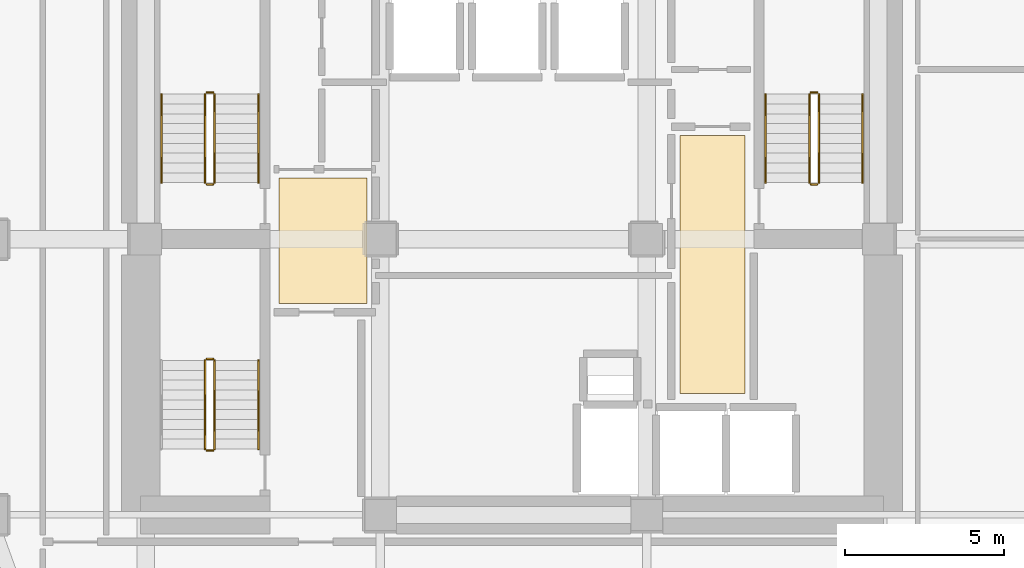
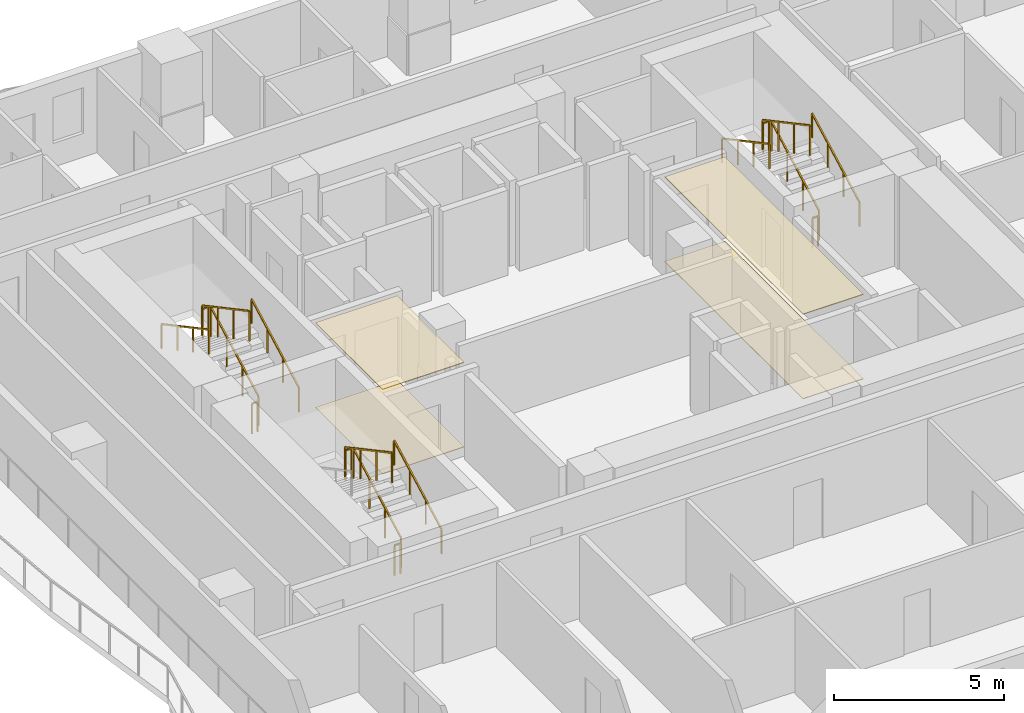
# One storey, part 9 of 10: 17 railings, 4 coverings.
"""IFC4 building model written with IfcOpenShell, lengths in metres."""

from ifc_helpers import new_model, si_unit, direction, frame, origin, origin_2d, place, context, subcontext, project, spatial, polyline, rectangle, outline, extrude, material, layer, layer_set, type_object, element, save


model = new_model("IFC4")

# Units and contexts
model_context = context("Model", 3, precision=1e-05, world=origin(), true_north=direction((0.0, 1.0)))
body_context = subcontext(model_context, "Body", "Model", "MODEL_VIEW")
ifc_project = project(units=[si_unit("LENGTHUNIT", "METRE"), si_unit("AREAUNIT", "SQUARE_METRE"), si_unit("VOLUMEUNIT", "CUBIC_METRE"), si_unit("PLANEANGLEUNIT", "RADIAN"), si_unit("MASSUNIT", "GRAM", prefix="KILO")], contexts=[model_context])

# Site, building, storey
site_placement = place(None, origin())
site = spatial("IfcSite", under=ifc_project, at=site_placement, CompositionType="ELEMENT")
building_placement = place(site_placement, origin())
building = spatial("IfcBuilding", under=site, at=building_placement, Name="Solanera Arch Residences", CompositionType="ELEMENT")
storey_placement = place(building_placement, frame((0.0, 0.0, 48.56005859375)))
storey = spatial("IfcBuildingStorey", under=building, at=storey_placement, Name="L13", CompositionType="ELEMENT", Elevation=48.56005859375)

# Coverings
ifc_material_1 = material(Name="Porcelain Acoustic Floor Tile", Category="ceramic")
ifc_layer_1 = layer(ifc_material_1, 0.02001953125)
ifc_layer_set_1 = layer_set([ifc_layer_1], Name="Porcelain Acoustic Floor Tile")
covering_type_1 = type_object("IfcCoveringType", Name="Porcelain Acoustic Floor Finish FLR-20", PredefinedType="FLOORING", material=ifc_layer_set_1)
covering_1_placement = place(storey_placement, origin())
element("IfcCovering", 1, at=covering_1_placement, inside=storey, type_object=covering_type_1, Name="L13-FFL-W Porcelain Floor Finish", PredefinedType="FLOORING", context=body_context, shape_type="SweptSolid", body=[
    extrude(outline(polyline([(20.375, 28.675048828125), (17.594970703125, 28.675048828125), (17.594970703125, 32.625), (20.375, 32.625), (20.375, 28.675048828125)])), origin(), (0.0, 0.0, 1.0), 0.02001953125),
])
covering_2_placement = place(storey_placement, origin())
element("IfcCovering", 2, at=covering_2_placement, inside=storey, type_object=covering_type_1, Name="L13-FFL-E Porcelain Floor Finish", PredefinedType="FLOORING", context=body_context, shape_type="SweptSolid", body=[
    extrude(outline(polyline([(32.304931640625, 25.824951171875), (30.25, 25.824951171875), (30.25, 33.97509765625), (32.304931640625, 33.97509765625), (32.304931640625, 25.824951171875)])), origin(), (0.0, 0.0, 1.0), 0.02001953125),
])

# Railings
ifc_material_2 = material(Name="Steel S355 (ASTM A992 / A572 Grade 50)", Category="steel")
railing_type_1 = type_object("IfcRailingType", Name="Stair Guardrail GR-1100", PredefinedType="GUARDRAIL", material=ifc_material_2)
railing_1_placement = place(storey_placement, frame((15.570068359375, 32.47998046875, 0.15087890625)))
element("IfcRailing", 3, at=railing_1_placement, inside=storey, type_object=railing_type_1, Name="L13 ST-T1 stair guard 1", PredefinedType="GUARDRAIL", context=body_context, shape_type="SweptSolid", body=[
    extrude(rectangle(XDim=0.048095703125, YDim=0.048095703125, at=origin_2d()), frame((0.0, 0.0, 1.076171875), z_axis=(0.0, 0.881548766853, 0.472092969298), x_axis=(-1.0, 0.0, 0.0)), (0.0, 0.0, 1.0), 3.1650390625),
    extrude(rectangle(XDim=0.0419921875, YDim=0.0419921875, at=origin_2d()), origin(), (0.0, 0.0, 1.0), 1.052001953125),
    extrude(rectangle(XDim=0.0419921875, YDim=0.0419921875, at=origin_2d()), frame((0.0, 0.929931640625, 0.498046875)), (0.0, 0.0, 1.0), 1.052001953125),
    extrude(rectangle(XDim=0.0419921875, YDim=0.0419921875, at=origin_2d()), frame((0.0, 1.860107421875, 0.99609375)), (0.0, 0.0, 1.0), 1.052001953125),
    extrude(rectangle(XDim=0.0419921875, YDim=0.0419921875, at=origin_2d()), frame((0.0, 2.7900390625, 1.494140625)), (0.0, 0.0, 1.0), 1.052001953125),
])
railing_2_placement = place(storey_placement, frame((15.52001953125, 35.320068359375, 1.64501953125)))
element("IfcRailing", 4, at=railing_2_placement, inside=storey, type_object=railing_type_1, Name="L13 ST-T1 stair guard 2", PredefinedType="GUARDRAIL", context=body_context, shape_type="SweptSolid", body=[
    extrude(rectangle(XDim=0.048095703125, YDim=0.048095703125, at=origin_2d()), frame((0.0, 0.0, 1.076171875), z_axis=(-1.0, 0.0, 0.0), x_axis=(0.0, -1.0, 0.0)), (0.0, 0.0, 1.0), 0.199951171875),
    extrude(rectangle(XDim=0.0419921875, YDim=0.0419921875, at=origin_2d()), origin(), (0.0, 0.0, 1.0), 1.052001953125),
    extrude(rectangle(XDim=0.0419921875, YDim=0.0419921875, at=origin_2d()), frame((-0.199951171875, 0.0, 0.0)), (0.0, 0.0, 1.0), 1.052001953125),
])
railing_3_placement = place(storey_placement, frame((15.27001953125, 35.27001953125, 1.81103515625)))
element("IfcRailing", 5, at=railing_3_placement, inside=storey, type_object=railing_type_1, Name="L13 ST-T1 stair guard 3", PredefinedType="GUARDRAIL", context=body_context, shape_type="SweptSolid", body=[
    extrude(rectangle(XDim=0.048095703125, YDim=0.048095703125, at=origin_2d()), frame((0.0, 0.0, 1.076171875), z_axis=(0.0, -0.881580869306, 0.472033018838), x_axis=(1.0, 0.0, 0.0)), (0.0, 0.0, 1.0), 3.164794921875),
    extrude(rectangle(XDim=0.0419921875, YDim=0.0419921875, at=origin_2d()), origin(), (0.0, 0.0, 1.0), 1.052001953125),
    extrude(rectangle(XDim=0.0419921875, YDim=0.0419921875, at=origin_2d()), frame((0.0, -0.929931640625, 0.498046875)), (0.0, 0.0, 1.0), 1.052001953125),
    extrude(rectangle(XDim=0.0419921875, YDim=0.0419921875, at=origin_2d()), frame((0.0, -1.860107421875, 0.995849609375)), (0.0, 0.0, 1.0), 1.052001953125),
    extrude(rectangle(XDim=0.0419921875, YDim=0.0419921875, at=origin_2d()), frame((0.0, -2.7900390625, 1.493896484375)), (0.0, 0.0, 1.0), 1.052001953125),
])
railing_4_placement = place(storey_placement, frame((15.52001953125, 32.429931640625, -0.01513671875)))
element("IfcRailing", 6, at=railing_4_placement, inside=storey, type_object=railing_type_1, Name="L13 ST-T1 stair guard 4", PredefinedType="GUARDRAIL", context=body_context, shape_type="SweptSolid", body=[
    extrude(rectangle(XDim=0.048095703125, YDim=0.048095703125, at=origin_2d()), frame((0.0, 0.0, 1.076171875), z_axis=(-1.0, 0.0, 0.0), x_axis=(0.0, -1.0, 0.0)), (0.0, 0.0, 1.0), 0.199951171875),
    extrude(rectangle(XDim=0.0419921875, YDim=0.0419921875, at=origin_2d()), origin(), (0.0, 0.0, 1.0), 1.052001953125),
    extrude(rectangle(XDim=0.0419921875, YDim=0.0419921875, at=origin_2d()), frame((-0.199951171875, 0.0, 0.0)), (0.0, 0.0, 1.0), 1.052001953125),
])
railing_5_placement = place(storey_placement, frame((34.6298828125, 32.47998046875, 0.15087890625)))
element("IfcRailing", 7, at=railing_5_placement, inside=storey, type_object=railing_type_1, Name="L13 ST-T2 stair guard 1", PredefinedType="GUARDRAIL", context=body_context, shape_type="SweptSolid", body=[
    extrude(rectangle(XDim=0.048095703125, YDim=0.048095703125, at=origin_2d()), frame((0.0, 0.0, 1.076171875), z_axis=(0.0, 0.881548766853, 0.472092969298), x_axis=(-1.0, 0.0, 0.0)), (0.0, 0.0, 1.0), 3.1650390625),
    extrude(rectangle(XDim=0.0419921875, YDim=0.0419921875, at=origin_2d()), origin(), (0.0, 0.0, 1.0), 1.052001953125),
    extrude(rectangle(XDim=0.0419921875, YDim=0.0419921875, at=origin_2d()), frame((0.0, 0.929931640625, 0.498046875)), (0.0, 0.0, 1.0), 1.052001953125),
    extrude(rectangle(XDim=0.0419921875, YDim=0.0419921875, at=origin_2d()), frame((0.0, 1.860107421875, 0.99609375)), (0.0, 0.0, 1.0), 1.052001953125),
    extrude(rectangle(XDim=0.0419921875, YDim=0.0419921875, at=origin_2d()), frame((0.0, 2.7900390625, 1.494140625)), (0.0, 0.0, 1.0), 1.052001953125),
])
railing_6_placement = place(storey_placement, frame((34.580078125, 35.320068359375, 1.64501953125)))
element("IfcRailing", 8, at=railing_6_placement, inside=storey, type_object=railing_type_1, Name="L13 ST-T2 stair guard 2", PredefinedType="GUARDRAIL", context=body_context, shape_type="SweptSolid", body=[
    extrude(rectangle(XDim=0.048095703125, YDim=0.048095703125, at=origin_2d()), frame((0.0, 0.0, 1.076171875), z_axis=(-1.0, 0.0, 0.0), x_axis=(0.0, -1.0, 0.0)), (0.0, 0.0, 1.0), 0.2001953125),
    extrude(rectangle(XDim=0.0419921875, YDim=0.0419921875, at=origin_2d()), origin(), (0.0, 0.0, 1.0), 1.052001953125),
    extrude(rectangle(XDim=0.0419921875, YDim=0.0419921875, at=origin_2d()), frame((-0.2001953125, 0.0, 0.0)), (0.0, 0.0, 1.0), 1.052001953125),
])
railing_7_placement = place(storey_placement, frame((34.330078125, 35.27001953125, 1.81103515625)))
element("IfcRailing", 9, at=railing_7_placement, inside=storey, type_object=railing_type_1, Name="L13 ST-T2 stair guard 3", PredefinedType="GUARDRAIL", context=body_context, shape_type="SweptSolid", body=[
    extrude(rectangle(XDim=0.048095703125, YDim=0.048095703125, at=origin_2d()), frame((0.0, 0.0, 1.076171875), z_axis=(0.0, -0.881580869306, 0.472033018838), x_axis=(1.0, 0.0, 0.0)), (0.0, 0.0, 1.0), 3.164794921875),
    extrude(rectangle(XDim=0.0419921875, YDim=0.0419921875, at=origin_2d()), origin(), (0.0, 0.0, 1.0), 1.052001953125),
    extrude(rectangle(XDim=0.0419921875, YDim=0.0419921875, at=origin_2d()), frame((0.0, -0.929931640625, 0.498046875)), (0.0, 0.0, 1.0), 1.052001953125),
    extrude(rectangle(XDim=0.0419921875, YDim=0.0419921875, at=origin_2d()), frame((0.0, -1.860107421875, 0.995849609375)), (0.0, 0.0, 1.0), 1.052001953125),
    extrude(rectangle(XDim=0.0419921875, YDim=0.0419921875, at=origin_2d()), frame((0.0, -2.7900390625, 1.493896484375)), (0.0, 0.0, 1.0), 1.052001953125),
])
railing_8_placement = place(storey_placement, frame((34.580078125, 32.429931640625, -0.01513671875)))
element("IfcRailing", 10, at=railing_8_placement, inside=storey, type_object=railing_type_1, Name="L13 ST-T2 stair guard 4", PredefinedType="GUARDRAIL", context=body_context, shape_type="SweptSolid", body=[
    extrude(rectangle(XDim=0.048095703125, YDim=0.048095703125, at=origin_2d()), frame((0.0, 0.0, 1.076171875), z_axis=(-1.0, 0.0, 0.0), x_axis=(0.0, -1.0, 0.0)), (0.0, 0.0, 1.0), 0.2001953125),
    extrude(rectangle(XDim=0.0419921875, YDim=0.0419921875, at=origin_2d()), origin(), (0.0, 0.0, 1.0), 1.052001953125),
    extrude(rectangle(XDim=0.0419921875, YDim=0.0419921875, at=origin_2d()), frame((-0.2001953125, 0.0, 0.0)), (0.0, 0.0, 1.0), 1.052001953125),
])
railing_9_placement = place(storey_placement, frame((15.570068359375, 24.080078125, 0.15087890625)))
element("IfcRailing", 11, at=railing_9_placement, inside=storey, type_object=railing_type_1, Name="L13 ST-T3 stair guard 1", PredefinedType="GUARDRAIL", context=body_context, shape_type="SweptSolid", body=[
    extrude(rectangle(XDim=0.048095703125, YDim=0.048095703125, at=origin_2d()), frame((0.0, 0.0, 1.076171875), z_axis=(0.0, 0.881548766853, 0.472092969298), x_axis=(-1.0, 0.0, 0.0)), (0.0, 0.0, 1.0), 3.1650390625),
    extrude(rectangle(XDim=0.0419921875, YDim=0.0419921875, at=origin_2d()), origin(), (0.0, 0.0, 1.0), 1.052001953125),
    extrude(rectangle(XDim=0.0419921875, YDim=0.0419921875, at=origin_2d()), frame((0.0, 0.929931640625, 0.498046875)), (0.0, 0.0, 1.0), 1.052001953125),
    extrude(rectangle(XDim=0.0419921875, YDim=0.0419921875, at=origin_2d()), frame((0.0, 1.860107421875, 0.99609375)), (0.0, 0.0, 1.0), 1.052001953125),
    extrude(rectangle(XDim=0.0419921875, YDim=0.0419921875, at=origin_2d()), frame((0.0, 2.7900390625, 1.494140625)), (0.0, 0.0, 1.0), 1.052001953125),
])
railing_10_placement = place(storey_placement, frame((15.52001953125, 26.919921875, 1.64501953125)))
element("IfcRailing", 12, at=railing_10_placement, inside=storey, type_object=railing_type_1, Name="L13 ST-T3 stair guard 2", PredefinedType="GUARDRAIL", context=body_context, shape_type="SweptSolid", body=[
    extrude(rectangle(XDim=0.048095703125, YDim=0.048095703125, at=origin_2d()), frame((0.0, 0.0, 1.076171875), z_axis=(-1.0, 0.0, 0.0), x_axis=(0.0, -1.0, 0.0)), (0.0, 0.0, 1.0), 0.199951171875),
    extrude(rectangle(XDim=0.0419921875, YDim=0.0419921875, at=origin_2d()), origin(), (0.0, 0.0, 1.0), 1.052001953125),
    extrude(rectangle(XDim=0.0419921875, YDim=0.0419921875, at=origin_2d()), frame((-0.199951171875, 0.0, 0.0)), (0.0, 0.0, 1.0), 1.052001953125),
])
railing_11_placement = place(storey_placement, frame((15.27001953125, 26.8701171875, 1.81103515625)))
element("IfcRailing", 13, at=railing_11_placement, inside=storey, type_object=railing_type_1, Name="L13 ST-T3 stair guard 3", PredefinedType="GUARDRAIL", context=body_context, shape_type="SweptSolid", body=[
    extrude(rectangle(XDim=0.048095703125, YDim=0.048095703125, at=origin_2d()), frame((0.0, 0.0, 1.076171875), z_axis=(0.0, -0.881580869306, 0.472033018838), x_axis=(1.0, 0.0, 0.0)), (0.0, 0.0, 1.0), 3.164794921875),
    extrude(rectangle(XDim=0.0419921875, YDim=0.0419921875, at=origin_2d()), origin(), (0.0, 0.0, 1.0), 1.052001953125),
    extrude(rectangle(XDim=0.0419921875, YDim=0.0419921875, at=origin_2d()), frame((0.0, -0.929931640625, 0.498046875)), (0.0, 0.0, 1.0), 1.052001953125),
    extrude(rectangle(XDim=0.0419921875, YDim=0.0419921875, at=origin_2d()), frame((0.0, -1.860107421875, 0.995849609375)), (0.0, 0.0, 1.0), 1.052001953125),
    extrude(rectangle(XDim=0.0419921875, YDim=0.0419921875, at=origin_2d()), frame((0.0, -2.7900390625, 1.493896484375)), (0.0, 0.0, 1.0), 1.052001953125),
])
railing_12_placement = place(storey_placement, frame((15.52001953125, 24.030029296875, -0.01513671875)))
element("IfcRailing", 14, at=railing_12_placement, inside=storey, type_object=railing_type_1, Name="L13 ST-T3 stair guard 4", PredefinedType="GUARDRAIL", context=body_context, shape_type="SweptSolid", body=[
    extrude(rectangle(XDim=0.048095703125, YDim=0.048095703125, at=origin_2d()), frame((0.0, 0.0, 1.076171875), z_axis=(-1.0, 0.0, 0.0), x_axis=(0.0, -1.0, 0.0)), (0.0, 0.0, 1.0), 0.199951171875),
    extrude(rectangle(XDim=0.0419921875, YDim=0.0419921875, at=origin_2d()), origin(), (0.0, 0.0, 1.0), 1.052001953125),
    extrude(rectangle(XDim=0.0419921875, YDim=0.0419921875, at=origin_2d()), frame((-0.199951171875, 0.0, 0.0)), (0.0, 0.0, 1.0), 1.052001953125),
])
ifc_material_3 = material(Name="Steel S355 (ASTM A992 / A572 Grade 50)", Category="steel")
railing_type_2 = type_object("IfcRailingType", Name="Stair Wall Handrail HR-920", PredefinedType="HANDRAIL", material=ifc_material_3)
railing_13_placement = place(storey_placement, frame((16.949951171875, 32.47998046875, 0.166015625)))
element("IfcRailing", 15, at=railing_13_placement, inside=storey, type_object=railing_type_2, Name="L13 ST-T1 stair handrail 1", PredefinedType="HANDRAIL", context=body_context, shape_type="SweptSolid", body=[
    extrude(rectangle(XDim=0.048095703125, YDim=0.048095703125, at=origin_2d()), frame((0.0, 0.0, 0.8759765625), z_axis=(0.0, 0.881580869306, 0.472033018838), x_axis=(-1.0, 0.0, 0.0)), (0.0, 0.0, 1.0), 3.164794921875),
    extrude(rectangle(XDim=0.0419921875, YDim=0.0419921875, at=origin_2d()), origin(), (0.0, 0.0, 1.0), 0.851806640625),
    extrude(rectangle(XDim=0.0419921875, YDim=0.0419921875, at=origin_2d()), frame((0.0, 0.929931640625, 0.498046875)), (0.0, 0.0, 1.0), 0.851806640625),
    extrude(rectangle(XDim=0.0419921875, YDim=0.0419921875, at=origin_2d()), frame((0.0, 1.860107421875, 0.995849609375)), (0.0, 0.0, 1.0), 0.851806640625),
    extrude(rectangle(XDim=0.0419921875, YDim=0.0419921875, at=origin_2d()), frame((0.0, 2.7900390625, 1.493896484375)), (0.0, 0.0, 1.0), 0.851806640625),
])
railing_14_placement = place(storey_placement, frame((13.889892578125, 35.27001953125, 1.825927734375)))
element("IfcRailing", 16, at=railing_14_placement, inside=storey, type_object=railing_type_2, Name="L13 ST-T1 stair handrail 2", PredefinedType="HANDRAIL", context=body_context, shape_type="SweptSolid", body=[
    extrude(rectangle(XDim=0.048095703125, YDim=0.048095703125, at=origin_2d()), frame((0.0, 0.0, 0.8759765625), z_axis=(0.0, -0.881580869306, 0.472033018838), x_axis=(1.0, 0.0, 0.0)), (0.0, 0.0, 1.0), 3.164794921875),
    extrude(rectangle(XDim=0.0419921875, YDim=0.0419921875, at=origin_2d()), origin(), (0.0, 0.0, 1.0), 0.851806640625),
    extrude(rectangle(XDim=0.0419921875, YDim=0.0419921875, at=origin_2d()), frame((0.0, -0.929931640625, 0.498046875)), (0.0, 0.0, 1.0), 0.851806640625),
    extrude(rectangle(XDim=0.0419921875, YDim=0.0419921875, at=origin_2d()), frame((0.0, -1.860107421875, 0.995849609375)), (0.0, 0.0, 1.0), 0.851806640625),
    extrude(rectangle(XDim=0.0419921875, YDim=0.0419921875, at=origin_2d()), frame((0.0, -2.7900390625, 1.493896484375)), (0.0, 0.0, 1.0), 0.851806640625),
])
railing_15_placement = place(storey_placement, frame((36.010009765625, 32.47998046875, 0.166015625)))
element("IfcRailing", 17, at=railing_15_placement, inside=storey, type_object=railing_type_2, Name="L13 ST-T2 stair handrail 1", PredefinedType="HANDRAIL", context=body_context, shape_type="SweptSolid", body=[
    extrude(rectangle(XDim=0.048095703125, YDim=0.048095703125, at=origin_2d()), frame((0.0, 0.0, 0.8759765625), z_axis=(0.0, 0.881580869306, 0.472033018838), x_axis=(-1.0, 0.0, 0.0)), (0.0, 0.0, 1.0), 3.164794921875),
    extrude(rectangle(XDim=0.0419921875, YDim=0.0419921875, at=origin_2d()), origin(), (0.0, 0.0, 1.0), 0.851806640625),
    extrude(rectangle(XDim=0.0419921875, YDim=0.0419921875, at=origin_2d()), frame((0.0, 0.929931640625, 0.498046875)), (0.0, 0.0, 1.0), 0.851806640625),
    extrude(rectangle(XDim=0.0419921875, YDim=0.0419921875, at=origin_2d()), frame((0.0, 1.860107421875, 0.995849609375)), (0.0, 0.0, 1.0), 0.851806640625),
    extrude(rectangle(XDim=0.0419921875, YDim=0.0419921875, at=origin_2d()), frame((0.0, 2.7900390625, 1.493896484375)), (0.0, 0.0, 1.0), 0.851806640625),
])
railing_16_placement = place(storey_placement, frame((32.949951171875, 35.27001953125, 1.825927734375)))
element("IfcRailing", 18, at=railing_16_placement, inside=storey, type_object=railing_type_2, Name="L13 ST-T2 stair handrail 2", PredefinedType="HANDRAIL", context=body_context, shape_type="SweptSolid", body=[
    extrude(rectangle(XDim=0.048095703125, YDim=0.048095703125, at=origin_2d()), frame((0.0, 0.0, 0.8759765625), z_axis=(0.0, -0.881580869306, 0.472033018838), x_axis=(1.0, 0.0, 0.0)), (0.0, 0.0, 1.0), 3.164794921875),
    extrude(rectangle(XDim=0.0419921875, YDim=0.0419921875, at=origin_2d()), origin(), (0.0, 0.0, 1.0), 0.851806640625),
    extrude(rectangle(XDim=0.0419921875, YDim=0.0419921875, at=origin_2d()), frame((0.0, -0.929931640625, 0.498046875)), (0.0, 0.0, 1.0), 0.851806640625),
    extrude(rectangle(XDim=0.0419921875, YDim=0.0419921875, at=origin_2d()), frame((0.0, -1.860107421875, 0.995849609375)), (0.0, 0.0, 1.0), 0.851806640625),
    extrude(rectangle(XDim=0.0419921875, YDim=0.0419921875, at=origin_2d()), frame((0.0, -2.7900390625, 1.493896484375)), (0.0, 0.0, 1.0), 0.851806640625),
])
railing_17_placement = place(storey_placement, frame((16.949951171875, 24.080078125, 0.166015625)))
element("IfcRailing", 19, at=railing_17_placement, inside=storey, type_object=railing_type_2, Name="L13 ST-T3 stair handrail 1", PredefinedType="HANDRAIL", context=body_context, shape_type="SweptSolid", body=[
    extrude(rectangle(XDim=0.048095703125, YDim=0.048095703125, at=origin_2d()), frame((0.0, 0.0, 0.8759765625), z_axis=(0.0, 0.881580869306, 0.472033018838), x_axis=(-1.0, 0.0, 0.0)), (0.0, 0.0, 1.0), 3.164794921875),
    extrude(rectangle(XDim=0.0419921875, YDim=0.0419921875, at=origin_2d()), origin(), (0.0, 0.0, 1.0), 0.851806640625),
    extrude(rectangle(XDim=0.0419921875, YDim=0.0419921875, at=origin_2d()), frame((0.0, 0.929931640625, 0.498046875)), (0.0, 0.0, 1.0), 0.851806640625),
    extrude(rectangle(XDim=0.0419921875, YDim=0.0419921875, at=origin_2d()), frame((0.0, 1.860107421875, 0.995849609375)), (0.0, 0.0, 1.0), 0.851806640625),
    extrude(rectangle(XDim=0.0419921875, YDim=0.0419921875, at=origin_2d()), frame((0.0, 2.7900390625, 1.493896484375)), (0.0, 0.0, 1.0), 0.851806640625),
])

# Coverings
ifc_material_4 = material(Name="Mineral Fibre Acoustic Ceiling Board", Category="gypsum")
ifc_layer_2 = layer(ifc_material_4, 0.02490234375)
ifc_layer_set_2 = layer_set([ifc_layer_2], Name="Mineral Fibre Acoustic Ceiling Board")
covering_type_2 = type_object("IfcCoveringType", Name="Suspended Acoustic Ceiling Board CLG-25", PredefinedType="CEILING", material=ifc_layer_set_2)
covering_3_placement = place(storey_placement, frame((0.0, 0.0, 3.034912109375)))
element("IfcCovering", 20, at=covering_3_placement, inside=storey, type_object=covering_type_2, Name="L13-FFL-W Acoustic Ceiling", PredefinedType="CEILING", context=body_context, shape_type="SweptSolid", body=[
    extrude(outline(polyline([(20.375, 28.675048828125), (17.594970703125, 28.675048828125), (17.594970703125, 32.625), (20.375, 32.625), (20.375, 28.675048828125)])), origin(), (0.0, 0.0, 1.0), 0.025146484375),
])
covering_4_placement = place(storey_placement, frame((0.0, 0.0, 3.034912109375)))
element("IfcCovering", 21, at=covering_4_placement, inside=storey, type_object=covering_type_2, Name="L13-FFL-E Acoustic Ceiling", PredefinedType="CEILING", context=body_context, shape_type="SweptSolid", body=[
    extrude(outline(polyline([(32.304931640625, 25.824951171875), (30.25, 25.824951171875), (30.25, 33.97509765625), (32.304931640625, 33.97509765625), (32.304931640625, 25.824951171875)])), origin(), (0.0, 0.0, 1.0), 0.025146484375),
])

save(model, "model.ifc")
